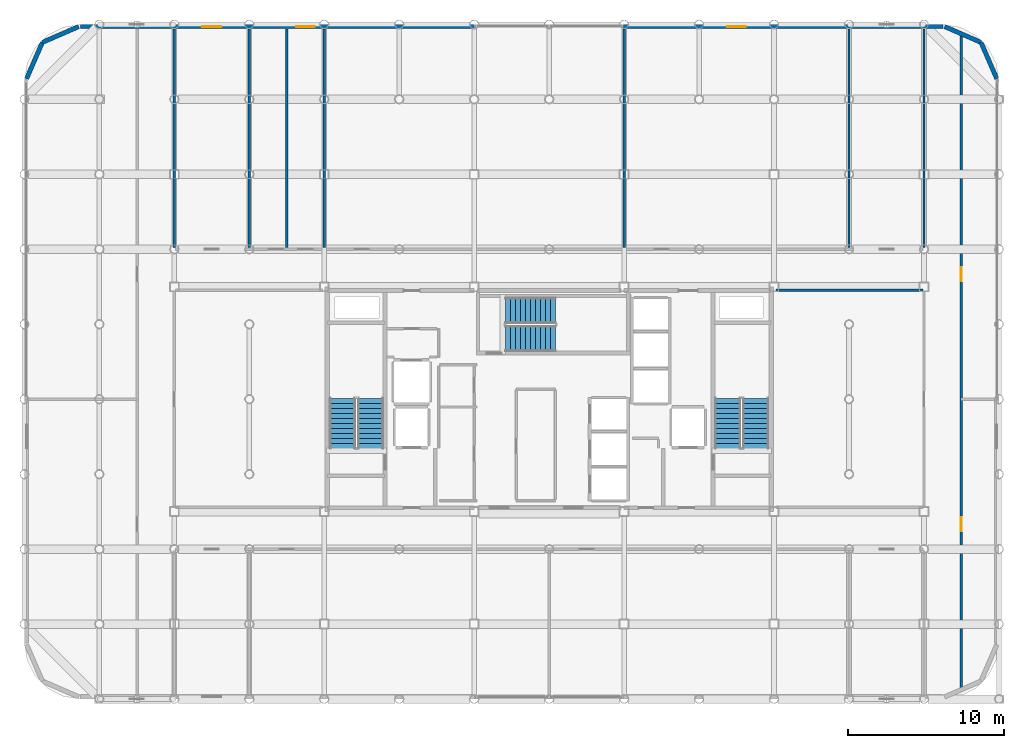
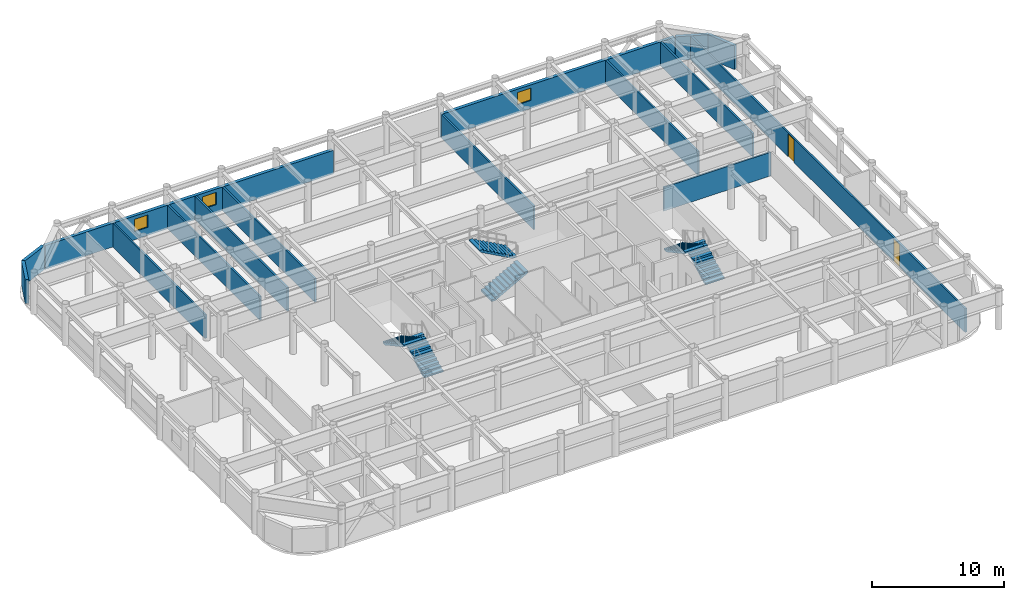
# One storey, part 20 of 21: 15 walls, 6 stair flights, 3 windows, 2 doors, 5 openings, 3 elements without a shape of their own.
"""IFC4 building model written with IfcOpenShell, lengths in metres."""

from ifc_helpers import new_model, si_unit, direction, frame, frame_2d, origin, place, context, subcontext, project, spatial, polyline, rectangle, outline, extrude, material, layer, layer_set, type_object, element, fill, aggregate, save


model = new_model("IFC4")

# Units and contexts
model_context = context("Model", 3, precision=1e-05, world=origin(), true_north=direction((0.0, 1.0)))
body_context = subcontext(model_context, "Body", "Model", "MODEL_VIEW")
ifc_project = project(units=[si_unit("LENGTHUNIT", "METRE"), si_unit("AREAUNIT", "SQUARE_METRE"), si_unit("VOLUMEUNIT", "CUBIC_METRE"), si_unit("PLANEANGLEUNIT", "RADIAN"), si_unit("MASSUNIT", "GRAM", prefix="KILO")], contexts=[model_context])

# Site, building, storey
site_placement = place(None, origin())
site = spatial("IfcSite", under=ifc_project, at=site_placement, CompositionType="ELEMENT")
building_placement = place(site_placement, origin())
building = spatial("IfcBuilding", under=site, at=building_placement, Name="Kallvorn Hotel Tower", CompositionType="ELEMENT")
storey_placement = place(building_placement, frame((0.0, 0.0, 272.35009765625)))
storey = spatial("IfcBuildingStorey", under=building, at=storey_placement, Name="L68", CompositionType="ELEMENT", Elevation=272.35009765625)

# Walls
ifc_material_1 = material(Name="Precast basalt-clad insulated concrete wall C40/50", Category="masonry")
ifc_layer_1 = layer(ifc_material_1, 0.280029296875)
ifc_layer_set_1 = layer_set([ifc_layer_1], Name="WL_EXT_LOGGIA_280")
wall_type_1 = type_object("IfcWallType", Name="WL_EXT_LOGGIA_280", PredefinedType="SOLIDWALL", material=ifc_layer_set_1)
wall_1_placement = place(storey_placement, frame((28.657958984375, 20.520751953125, 0.0), z_axis=(0.0, 0.0, 1.0), x_axis=(-0.398792985289, 0.917040977756, 0.0)))
element("IfcWall", 1, at=wall_1_placement, inside=storey, type_object=wall_type_1, Name="L68 Rounded Corner Exterior Wall NE1", PredefinedType="SOLIDWALL", context=body_context, shape_type="SweptSolid", body=[
    extrude(rectangle(XDim=2.536376953125, YDim=0.280029296875, at=frame_2d((1.26806640625, 0.0))), origin(), (0.0, 0.0, 1.0), 2.199951171875),
])
for number, where, z_axis, x_axis, name in (
    (2, (27.646484375, 22.8466796875, 0.0), (0.0, 0.0, 1.0), (-0.917060872934, 0.398747232384, 0.0), "L68 Rounded Corner Exterior Wall NE2"),
    (3, (-30.120849609375, 23.85791015625, 0.0), (0.0, 0.0, 1.0), (-0.917060872934, -0.398747232384, 0.0), "L68 Rounded Corner Exterior Wall NW1"),
):
    element("IfcWall", number, at=place(storey_placement, frame(where, z_axis=z_axis, x_axis=x_axis)), inside=storey, type_object=wall_type_1, Name=name, PredefinedType="SOLIDWALL", context=body_context, shape_type="SweptSolid", body=[
        extrude(rectangle(XDim=2.5361328125, YDim=0.280029296875, at=frame_2d((1.26806640625, 0.0))), origin(), (0.0, 0.0, 1.0), 2.199951171875),
    ])
wall_2_placement = place(storey_placement, frame((-32.446533203125, 22.8466796875, 0.0), z_axis=(0.0, 0.0, 1.0), x_axis=(-0.398792985289, -0.917040977756, 0.0)))
element("IfcWall", 4, at=wall_2_placement, inside=storey, type_object=wall_type_1, Name="L68 Rounded Corner Exterior Wall NW2", PredefinedType="SOLIDWALL", context=body_context, shape_type="SweptSolid", body=[
    extrude(rectangle(XDim=2.536376953125, YDim=0.280029296875, at=frame_2d((1.26806640625, 0.0))), origin(), (0.0, 0.0, 1.0), 2.199951171875),
])

# Wall, openings, windows
wall_3_placement = place(storey_placement, frame((-30.0, 23.860107421875, 0.0), z_axis=(0.0, 0.0, 1.0), x_axis=(1.0, 0.0, 0.0)))
wall_3 = element("IfcWall", 5, at=wall_3_placement, inside=storey, type_object=wall_type_1, Name="L68 Exterior Envelope Wall EW-L68-NW", PredefinedType="SOLIDWALL", context=body_context, shape_type="SweptSolid", body=[
    extrude(rectangle(XDim=25.25, YDim=0.280029296875, at=frame_2d((12.625, 0.0))), origin(), (0.0, 0.0, 1.0), 2.199951171875),
])
opening_1_placement = place(wall_3_placement, frame((7.800048828125, 0.0, 0.75)))
opening_1 = element("IfcOpeningElement", 6, at=opening_1_placement, cuts=wall_3, Name="Opening W06A", PredefinedType="OPENING", context=body_context, shape_type="SweptSolid", body=[
    extrude(rectangle(XDim=1.199951171875, YDim=1.14990234375, at=frame_2d((0.60009765625, 0.574951171875))), frame((0.0, 0.155029296875, 0.0), z_axis=(0.0, -1.0, 0.0), x_axis=(1.0, 0.0, 0.0)), (0.0, 0.0, 1.0), 0.31005859375),
])
opening_2_placement = place(wall_3_placement, frame((13.800048828125, 0.0, 0.75)))
opening_2 = element("IfcOpeningElement", 7, at=opening_2_placement, cuts=wall_3, Name="Opening W06A", PredefinedType="OPENING", context=body_context, shape_type="SweptSolid", body=[
    extrude(rectangle(XDim=1.199951171875, YDim=1.14990234375, at=frame_2d((0.60009765625, 0.574951171875))), frame((0.0, 0.155029296875, 0.0), z_axis=(0.0, -1.0, 0.0), x_axis=(1.0, 0.0, 0.0)), (0.0, 0.0, 1.0), 0.31005859375),
])
ifc_material_2 = material(Name="Triple-glazed low-e acoustic solar-control dark glass", Category="glass")
window_type = type_object("IfcWindowType", Name="WN_HTL_1200x1150", PartitioningType="SINGLE_PANEL", PredefinedType="WINDOW", material=ifc_material_2)
window_1_placement = place(opening_1_placement, origin())
window_1 = element("IfcWindow", 8, at=window_1_placement, inside=storey, type_object=window_type, Name="L68 Guestroom Exterior Window 02", OverallHeight=1.14990234375, OverallWidth=1.199951171875, PartitioningType="SINGLE_PANEL", PredefinedType="WINDOW", context=body_context, shape_type="SweptSolid", body=[
    extrude(rectangle(XDim=1.199951171875, YDim=1.14990234375, at=frame_2d((0.60009765625, 0.574951171875))), frame((0.0, 0.030029296875, 0.0), z_axis=(0.0, -1.0, 0.0), x_axis=(1.0, 0.0, 0.0)), (0.0, 0.0, 1.0), 0.06005859375),
])
fill(opening_1, window_1)
window_2_placement = place(opening_2_placement, origin())
window_2 = element("IfcWindow", 9, at=window_2_placement, inside=storey, type_object=window_type, Name="L68 Guestroom Exterior Window 05", OverallHeight=1.14990234375, OverallWidth=1.199951171875, PartitioningType="SINGLE_PANEL", PredefinedType="WINDOW", context=body_context, shape_type="SweptSolid", body=[
    extrude(rectangle(XDim=1.199951171875, YDim=1.14990234375, at=frame_2d((0.60009765625, 0.574951171875))), frame((0.0, 0.030029296875, 0.0), z_axis=(0.0, -1.0, 0.0), x_axis=(1.0, 0.0, 0.0)), (0.0, 0.0, 1.0), 0.06005859375),
])
fill(opening_2, window_2)

# Wall, opening, window
wall_4_placement = place(storey_placement, frame((4.75, 23.860107421875, 0.0), z_axis=(0.0, 0.0, 1.0), x_axis=(1.0, 0.0, 0.0)))
wall_4 = element("IfcWall", 10, at=wall_4_placement, inside=storey, type_object=wall_type_1, Name="L68 Exterior Envelope Wall EW-L68-NE", PredefinedType="SOLIDWALL", context=body_context, shape_type="SweptSolid", body=[
    extrude(rectangle(XDim=20.449951171875, YDim=0.280029296875, at=frame_2d((10.22509765625, 0.0))), origin(), (0.0, 0.0, 1.0), 2.199951171875),
])
opening_3_placement = place(wall_4_placement, frame((6.64990234375, 0.0, 0.75)))
opening_3 = element("IfcOpeningElement", 11, at=opening_3_placement, cuts=wall_4, Name="Opening W06A", PredefinedType="OPENING", context=body_context, shape_type="SweptSolid", body=[
    extrude(rectangle(XDim=1.199951171875, YDim=1.14990234375, at=frame_2d((0.60009765625, 0.574951171875))), frame((0.0, 0.155029296875, 0.0), z_axis=(0.0, -1.0, 0.0), x_axis=(1.0, 0.0, 0.0)), (0.0, 0.0, 1.0), 0.31005859375),
])
window_3_placement = place(opening_3_placement, origin())
window_3 = element("IfcWindow", 12, at=window_3_placement, inside=storey, type_object=window_type, Name="L68 Guestroom Exterior Window 06", OverallHeight=1.14990234375, OverallWidth=1.199951171875, PartitioningType="SINGLE_PANEL", PredefinedType="WINDOW", context=body_context, shape_type="SweptSolid", body=[
    extrude(rectangle(XDim=1.199951171875, YDim=1.14990234375, at=frame_2d((0.60009765625, 0.574951171875))), frame((0.0, 0.030029296875, 0.0), z_axis=(0.0, -1.0, 0.0), x_axis=(1.0, 0.0, 0.0)), (0.0, 0.0, 1.0), 0.06005859375),
])
fill(opening_3, window_3)

# Walls
ifc_material_3 = material(Name="Fire-rated double-layer acoustic gypsum drywall EI 60")
ifc_layer_2 = layer(ifc_material_3, 0.14990234375)
ifc_layer_set_2 = layer_set([ifc_layer_2], Name="WL_PART_150")
wall_type_2 = type_object("IfcWallType", Name="WL_PART_150", PredefinedType="PARTITIONING", material=ifc_layer_set_2)
wall_5_placement = place(storey_placement, frame((14.52001953125, 6.97998046875, 0.0), z_axis=(0.0, 0.0, 1.0), x_axis=(1.0, 0.0, 0.0)))
element("IfcWall", 13, at=wall_5_placement, inside=storey, type_object=wall_type_2, Name="L68 L68 High-Zone Inner East Club Gallery Partition", PredefinedType="PARTITIONING", context=body_context, shape_type="SweptSolid", body=[
    extrude(rectangle(XDim=9.39990234375, YDim=0.14990234375, at=frame_2d((4.699951171875, 0.0))), origin(), (0.0, 0.0, 1.0), 2.199951171875),
])
for number, where, z_axis, x_axis, name in (
    (14, (-24.0, 9.719970703125, 0.0), (0.0, 0.0, 1.0), (0.0, 1.0, 0.0), "L68 L68 High-Zone North-West Reading Salon Partition"),
    (15, (-19.199951171875, 9.719970703125, 0.0), (0.0, 0.0, 1.0), (0.0, 1.0, 0.0), "L68 Housekeeping and Linen Room Partition"),
    (16, (-16.800048828125, 9.719970703125, 0.0), (0.0, 0.0, 1.0), (0.0, 1.0, 0.0), "L68 Guest Tea and Refreshment Bar Partition"),
    (17, (-14.39990234375, 9.719970703125, 0.0), (0.0, 0.0, 1.0), (0.0, 1.0, 0.0), "L68 Guest Tea and Refreshment Bar Partition"),
    (18, (4.800048828125, 9.719970703125, 0.0), (0.0, 0.0, 1.0), (0.0, 1.0, 0.0), "L68 L68 Haute Couture Design Retail Shop 3 Partition"),
    (19, (19.199951171875, 9.719970703125, 0.0), (0.0, 0.0, 1.0), (0.0, 1.0, 0.0), "L68 L68 Haute Couture Design Retail Shop 3 Partition"),
    (20, (24.0, 9.719970703125, 0.0), (0.0, 0.0, 1.0), (0.0, 1.0, 0.0), "L68 L68 High-Zone North-East Pastry Bar Partition"),
):
    element("IfcWall", number, at=place(storey_placement, frame(where, z_axis=z_axis, x_axis=x_axis)), inside=storey, type_object=wall_type_2, Name=name, PredefinedType="PARTITIONING", context=body_context, shape_type="SweptSolid", body=[
        extrude(rectangle(XDim=13.989990234375, YDim=0.14990234375, at=frame_2d((6.9951171875, 0.0))), origin(), (0.0, 0.0, 1.0), 2.199951171875),
    ])

# Wall, openings, doors
wall_6_placement = place(storey_placement, frame((26.3798828125, -18.447265625, 0.0), z_axis=(0.0, 0.0, 1.0), x_axis=(0.0, 1.0, 0.0)))
wall_6 = element("IfcWall", 21, at=wall_6_placement, inside=storey, type_object=wall_type_2, Name="L68 L68 Outer East South Tasting Bar Partition", PredefinedType="PARTITIONING", context=body_context, shape_type="SweptSolid", body=[
    extrude(rectangle(XDim=41.694580078125, YDim=0.14990234375, at=frame_2d((20.84716796875, 0.0))), origin(), (0.0, 0.0, 1.0), 2.199951171875),
])
opening_4_placement = place(wall_6_placement, frame((9.997314453125, 0.0, 0.0)))
opening_4 = element("IfcOpeningElement", 22, at=opening_4_placement, cuts=wall_6, Name="Opening SVD1", PredefinedType="OPENING", context=body_context, shape_type="SweptSolid", body=[
    extrude(rectangle(XDim=0.89990234375, YDim=2.10009765625, at=frame_2d((0.449951171875, 1.050048828125))), frame((0.0, 0.08984375, 0.0), z_axis=(0.0, -1.0, 0.0), x_axis=(1.0, 0.0, 0.0)), (0.0, 0.0, 1.0), 0.179931640625),
])
opening_5_placement = place(wall_6_placement, frame((25.997314453125, 0.0, 0.0)))
opening_5 = element("IfcOpeningElement", 23, at=opening_5_placement, cuts=wall_6, Name="Opening SVD1", PredefinedType="OPENING", context=body_context, shape_type="SweptSolid", body=[
    extrude(rectangle(XDim=0.89990234375, YDim=2.10009765625, at=frame_2d((0.449951171875, 1.050048828125))), frame((0.0, 0.08984375, 0.0), z_axis=(0.0, -1.0, 0.0), x_axis=(1.0, 0.0, 0.0)), (0.0, 0.0, 1.0), 0.179931640625),
])
ifc_material_4 = material(Name="Galvanised painted steel fire-rated door assembly", Category="steel")
door_type = type_object("IfcDoorType", Name="DR_SERV_900x2100", OperationType="NOTDEFINED", PredefinedType="DOOR", material=ifc_material_4)
door_1_placement = place(opening_4_placement, origin())
door_1 = element("IfcDoor", 24, at=door_1_placement, inside=storey, type_object=door_type, Name="L68 L68 Outer East South Tasting Bar Door", OperationType="SINGLE_SWING_LEFT", OverallHeight=2.10009765625, OverallWidth=0.89990234375, PredefinedType="DOOR", context=body_context, shape_type="SweptSolid", body=[
    extrude(rectangle(XDim=0.89990234375, YDim=2.10009765625, at=frame_2d((0.449951171875, 1.050048828125))), frame((0.0, 0.02490234375, 0.0), z_axis=(0.0, -1.0, 0.0), x_axis=(1.0, 0.0, 0.0)), (0.0, 0.0, 1.0), 0.050048828125),
])
fill(opening_4, door_1)
door_2_placement = place(opening_5_placement, origin())
door_2 = element("IfcDoor", 25, at=door_2_placement, inside=storey, type_object=door_type, Name="L68 L68 Outer East North Collectors Gallery Door", OperationType="SINGLE_SWING_RIGHT", OverallHeight=2.10009765625, OverallWidth=0.89990234375, PredefinedType="DOOR", context=body_context, shape_type="SweptSolid", body=[
    extrude(rectangle(XDim=0.89990234375, YDim=2.10009765625, at=frame_2d((0.449951171875, 1.050048828125))), frame((0.0, 0.02490234375, 0.0), z_axis=(0.0, -1.0, 0.0), x_axis=(1.0, 0.0, 0.0)), (0.0, 0.0, 1.0), 0.050048828125),
])
fill(opening_5, door_2)

# Stair, stair flights
ifc_material_5 = material(Name="Precast concrete C40/50", Category="concrete")
stair_type = type_object("IfcStairType", Name="STR_CORE_DOGLEG", PredefinedType="HALF_TURN_STAIR", material=ifc_material_5)
stair_1_placement = place(storey_placement, origin())
stair_1 = element("IfcStair", 26, at=stair_1_placement, inside=storey, type_object=stair_type, Name="L68 Exit stair ST1", PredefinedType="HALF_TURN_STAIR")
ifc_material_6 = material(Name="Precast concrete C40/50", Category="concrete")
stair_flight_type = type_object("IfcStairFlightType", Name="FLT_CORE_1660", PredefinedType="STRAIGHT", material=ifc_material_6)
stair_flight_1_placement = place(storey_placement, frame((-11.429931640625, -3.139892578125, 0.0), z_axis=(0.0, 0.0, 1.0), x_axis=(0.0, 1.0, 0.0)))
stair_flight_1 = element("IfcStairFlight", 27, at=stair_flight_1_placement, type_object=stair_flight_type, Name="ST1 flight 1", NumberOfRisers=11, NumberOfTreads=10, PredefinedType="STRAIGHT", RiserHeight=0.175, TreadLength=0.32, context=body_context, shape_type="SweptSolid", body=[
    extrude(outline(polyline([(0.0, 0.0), (0.0, 0.175048828125), (0.320068359375, 0.175048828125), (0.320068359375, 0.35009765625), (0.639892578125, 0.35009765625), (0.639892578125, 0.52490234375), (0.9599609375, 0.52490234375), (0.9599609375, 0.699951171875), (1.280029296875, 0.699951171875), (1.280029296875, 0.875), (1.60009765625, 0.875), (1.60009765625, 1.050048828125), (1.919921875, 1.050048828125), (1.919921875, 1.22509765625), (2.239990234375, 1.22509765625), (2.239990234375, 1.39990234375), (2.56005859375, 1.39990234375), (2.56005859375, 1.574951171875), (2.8798828125, 1.574951171875), (2.8798828125, 1.75), (3.199951171875, 1.75), (3.199951171875, 1.925048828125), (3.199951171875, 1.5791015625), (0.3125, 0.0), (0.0, 0.0)])), frame((0.0, 0.830078125, 0.0), z_axis=(0.0, -1.0, 0.0), x_axis=(1.0, 0.0, 0.0)), (0.0, 0.0, 1.0), 1.659912109375),
])
stair_flight_2_placement = place(storey_placement, frame((-13.22998046875, 0.06005859375, 1.9248046875), z_axis=(0.0, 0.0, 1.0), x_axis=(0.0, -1.0, 0.0)))
stair_flight_2 = element("IfcStairFlight", 28, at=stair_flight_2_placement, type_object=stair_flight_type, Name="ST1 flight 2", NumberOfRisers=11, NumberOfTreads=10, PredefinedType="STRAIGHT", RiserHeight=0.175, TreadLength=0.32, context=body_context, shape_type="SweptSolid", body=[
    extrude(outline(polyline([(0.0, 0.0), (0.0, 0.175048828125), (0.320068359375, 0.175048828125), (0.320068359375, 0.35009765625), (0.639892578125, 0.35009765625), (0.639892578125, 0.52490234375), (0.9599609375, 0.52490234375), (0.9599609375, 0.699951171875), (1.280029296875, 0.699951171875), (1.280029296875, 0.875), (1.60009765625, 0.875), (1.60009765625, 1.050048828125), (1.919921875, 1.050048828125), (1.919921875, 1.22509765625), (2.239990234375, 1.22509765625), (2.239990234375, 1.39990234375), (2.56005859375, 1.39990234375), (2.56005859375, 1.574951171875), (2.8798828125, 1.574951171875), (2.8798828125, 1.75), (3.199951171875, 1.75), (3.199951171875, 1.925048828125), (3.199951171875, 1.5791015625), (0.3125, 0.0), (0.0, 0.0)])), frame((0.0, 0.830078125, 0.0), z_axis=(0.0, -1.0, 0.0), x_axis=(1.0, 0.0, 0.0)), (0.0, 0.0, 1.0), 1.659912109375),
])
aggregate(stair_1, [stair_flight_1, stair_flight_2])

stair_2_placement = place(storey_placement, origin())
stair_2 = element("IfcStair", 29, at=stair_2_placement, inside=storey, type_object=stair_type, Name="L68 Exit stair ST2", PredefinedType="HALF_TURN_STAIR")
stair_flight_3_placement = place(storey_placement, frame((13.22998046875, -3.139892578125, 0.0), z_axis=(0.0, 0.0, 1.0), x_axis=(0.0, 1.0, 0.0)))
stair_flight_3 = element("IfcStairFlight", 30, at=stair_flight_3_placement, type_object=stair_flight_type, Name="ST2 flight 1", NumberOfRisers=11, NumberOfTreads=10, PredefinedType="STRAIGHT", RiserHeight=0.175, TreadLength=0.32, context=body_context, shape_type="SweptSolid", body=[
    extrude(outline(polyline([(0.0, 0.0), (0.0, 0.175048828125), (0.320068359375, 0.175048828125), (0.320068359375, 0.35009765625), (0.639892578125, 0.35009765625), (0.639892578125, 0.52490234375), (0.9599609375, 0.52490234375), (0.9599609375, 0.699951171875), (1.280029296875, 0.699951171875), (1.280029296875, 0.875), (1.60009765625, 0.875), (1.60009765625, 1.050048828125), (1.919921875, 1.050048828125), (1.919921875, 1.22509765625), (2.239990234375, 1.22509765625), (2.239990234375, 1.39990234375), (2.56005859375, 1.39990234375), (2.56005859375, 1.574951171875), (2.8798828125, 1.574951171875), (2.8798828125, 1.75), (3.199951171875, 1.75), (3.199951171875, 1.925048828125), (3.199951171875, 1.5791015625), (0.3125, 0.0), (0.0, 0.0)])), frame((0.0, 0.830078125, 0.0), z_axis=(0.0, -1.0, 0.0), x_axis=(1.0, 0.0, 0.0)), (0.0, 0.0, 1.0), 1.659912109375),
])
stair_flight_4_placement = place(storey_placement, frame((11.429931640625, 0.06005859375, 1.9248046875), z_axis=(0.0, 0.0, 1.0), x_axis=(0.0, -1.0, 0.0)))
stair_flight_4 = element("IfcStairFlight", 31, at=stair_flight_4_placement, type_object=stair_flight_type, Name="ST2 flight 2", NumberOfRisers=11, NumberOfTreads=10, PredefinedType="STRAIGHT", RiserHeight=0.175, TreadLength=0.32, context=body_context, shape_type="SweptSolid", body=[
    extrude(outline(polyline([(0.0, 0.0), (0.0, 0.175048828125), (0.320068359375, 0.175048828125), (0.320068359375, 0.35009765625), (0.639892578125, 0.35009765625), (0.639892578125, 0.52490234375), (0.9599609375, 0.52490234375), (0.9599609375, 0.699951171875), (1.280029296875, 0.699951171875), (1.280029296875, 0.875), (1.60009765625, 0.875), (1.60009765625, 1.050048828125), (1.919921875, 1.050048828125), (1.919921875, 1.22509765625), (2.239990234375, 1.22509765625), (2.239990234375, 1.39990234375), (2.56005859375, 1.39990234375), (2.56005859375, 1.574951171875), (2.8798828125, 1.574951171875), (2.8798828125, 1.75), (3.199951171875, 1.75), (3.199951171875, 1.925048828125), (3.199951171875, 1.5791015625), (0.3125, 0.0), (0.0, 0.0)])), frame((0.0, 0.830078125, 0.0), z_axis=(0.0, -1.0, 0.0), x_axis=(1.0, 0.0, 0.0)), (0.0, 0.0, 1.0), 1.659912109375),
])
aggregate(stair_2, [stair_flight_3, stair_flight_4])

stair_3_placement = place(storey_placement, origin())
stair_3 = element("IfcStair", 32, at=stair_3_placement, inside=storey, type_object=stair_type, Name="L68 Exit stair ST3", PredefinedType="HALF_TURN_STAIR")
stair_flight_5_placement = place(storey_placement, frame((-2.7900390625, 3.8798828125, 0.0), z_axis=(0.0, 0.0, 1.0), x_axis=(1.0, 0.0, 0.0)))
stair_flight_5 = element("IfcStairFlight", 33, at=stair_flight_5_placement, type_object=stair_flight_type, Name="ST3 flight 1", NumberOfRisers=11, NumberOfTreads=10, PredefinedType="STRAIGHT", RiserHeight=0.175, TreadLength=0.32, context=body_context, shape_type="SweptSolid", body=[
    extrude(outline(polyline([(0.0, 0.0), (0.0, 0.175048828125), (0.320068359375, 0.175048828125), (0.320068359375, 0.35009765625), (0.639892578125, 0.35009765625), (0.639892578125, 0.52490234375), (0.9599609375, 0.52490234375), (0.9599609375, 0.699951171875), (1.280029296875, 0.699951171875), (1.280029296875, 0.875), (1.60009765625, 0.875), (1.60009765625, 1.050048828125), (1.919921875, 1.050048828125), (1.919921875, 1.22509765625), (2.239990234375, 1.22509765625), (2.239990234375, 1.39990234375), (2.56005859375, 1.39990234375), (2.56005859375, 1.574951171875), (2.8798828125, 1.574951171875), (2.8798828125, 1.75), (3.199951171875, 1.75), (3.199951171875, 1.925048828125), (3.199951171875, 1.5791015625), (0.3125, 0.0), (0.0, 0.0)])), frame((0.0, 0.830078125, 0.0), z_axis=(0.0, -1.0, 0.0), x_axis=(1.0, 0.0, 0.0)), (0.0, 0.0, 1.0), 1.659912109375),
])
stair_flight_6_placement = place(storey_placement, frame((0.409912109375, 5.679931640625, 1.9248046875), z_axis=(0.0, 0.0, 1.0), x_axis=(-1.0, 0.0, 0.0)))
stair_flight_6 = element("IfcStairFlight", 34, at=stair_flight_6_placement, type_object=stair_flight_type, Name="ST3 flight 2", NumberOfRisers=11, NumberOfTreads=10, PredefinedType="STRAIGHT", RiserHeight=0.175, TreadLength=0.32, context=body_context, shape_type="SweptSolid", body=[
    extrude(outline(polyline([(0.0, 0.0), (0.0, 0.175048828125), (0.320068359375, 0.175048828125), (0.320068359375, 0.35009765625), (0.639892578125, 0.35009765625), (0.639892578125, 0.52490234375), (0.9599609375, 0.52490234375), (0.9599609375, 0.699951171875), (1.280029296875, 0.699951171875), (1.280029296875, 0.875), (1.60009765625, 0.875), (1.60009765625, 1.050048828125), (1.919921875, 1.050048828125), (1.919921875, 1.22509765625), (2.239990234375, 1.22509765625), (2.239990234375, 1.39990234375), (2.56005859375, 1.39990234375), (2.56005859375, 1.574951171875), (2.8798828125, 1.574951171875), (2.8798828125, 1.75), (3.199951171875, 1.75), (3.199951171875, 1.925048828125), (3.199951171875, 1.5791015625), (0.3125, 0.0), (0.0, 0.0)])), frame((0.0, 0.830078125, 0.0), z_axis=(0.0, -1.0, 0.0), x_axis=(1.0, 0.0, 0.0)), (0.0, 0.0, 1.0), 1.659912109375),
])
aggregate(stair_3, [stair_flight_5, stair_flight_6])

save(model, "model.ifc")
